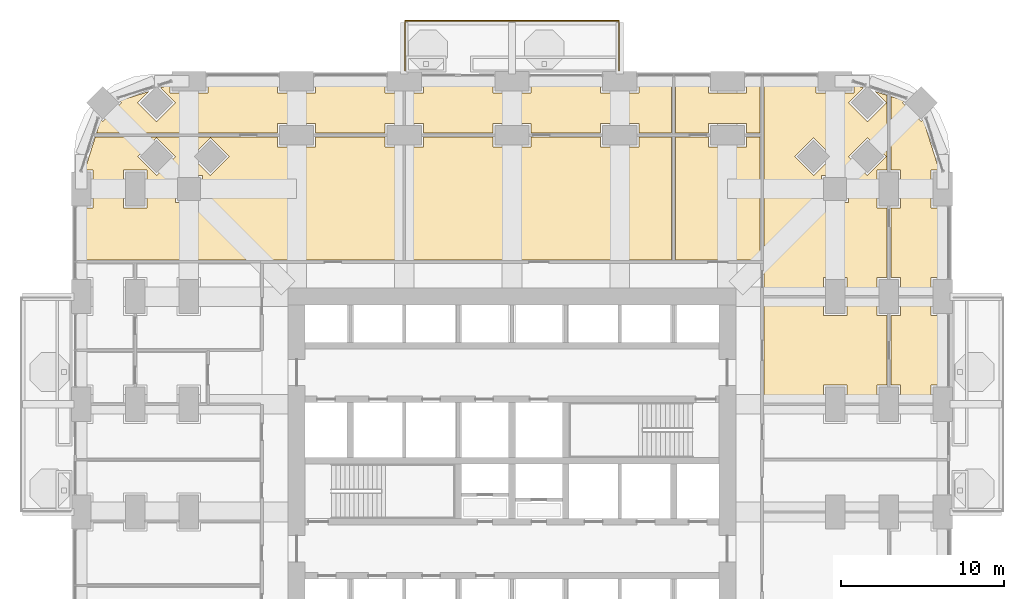
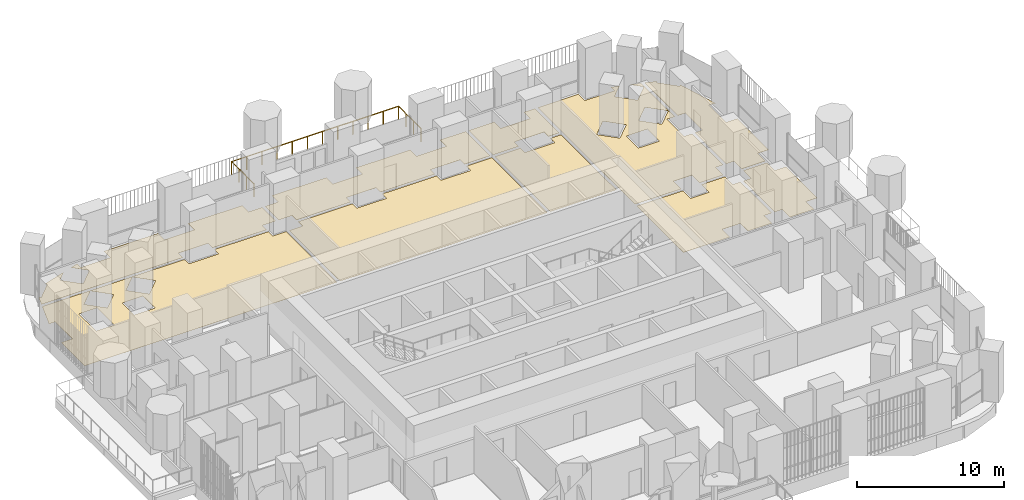
# One storey, part 25 of 26: 10 coverings, 1 railing.
"""IFC4 building model written with IfcOpenShell, lengths in metres."""

from ifc_helpers import new_model, si_unit, direction, frame, origin, place, context, subcontext, project, spatial, polyline, outline, extrude, material, layer, layer_set, type_object, element, save


model = new_model("IFC4")

# Units and contexts
model_context = context("Model", 3, precision=1e-05, world=origin(), true_north=direction((0.0, 1.0)))
body_context = subcontext(model_context, "Body", "Model", "MODEL_VIEW")
ifc_project = project(units=[si_unit("LENGTHUNIT", "METRE"), si_unit("AREAUNIT", "SQUARE_METRE"), si_unit("VOLUMEUNIT", "CUBIC_METRE"), si_unit("PLANEANGLEUNIT", "RADIAN"), si_unit("MASSUNIT", "GRAM", prefix="KILO")], contexts=[model_context])

# Site, building, storey
site_placement = place(None, origin())
site = spatial("IfcSite", under=ifc_project, at=site_placement, CompositionType="ELEMENT")
building_placement = place(site_placement, origin())
building = spatial("IfcBuilding", under=site, at=building_placement, Name="Cobogo Forest Laboratory Tower", CompositionType="ELEMENT")
storey_placement = place(building_placement, frame((0.0, 0.0, 42.300048828125)))
storey = spatial("IfcBuildingStorey", under=building, at=storey_placement, Name="L09", CompositionType="ELEMENT", Elevation=42.300048828125)

# Railing
ifc_material_1 = material(Name="Laminated glass balustrade", Category="glass")
railing_type = type_object("IfcRailingType", Name="BG1 glass balustrade 1100", PredefinedType="GUARDRAIL", material=ifc_material_1)
railing_placement = place(storey_placement, frame((19.85009765625, 46.85009765625, 0.0)))
element("IfcRailing", 1, at=railing_placement, inside=storey, type_object=railing_type, Name="Balcony balustrade BAL-N1 L09", PredefinedType="GUARDRAIL", context=body_context, shape_type="SweptSolid", body=[
    extrude(outline(polyline([(0.022216796875, 0.00927734375), (0.00927734375, 0.022216796875), (-0.00927734375, 0.022216796875), (-0.022216796875, 0.00927734375), (-0.022216796875, -0.00927734375), (-0.00927734375, -0.022216796875), (0.00927734375, -0.022216796875), (0.022216796875, -0.00927734375), (0.022216796875, 0.00927734375)])), frame((0.0, 0.0, 1.077880859375), z_axis=(0.0, 1.0, 0.0), x_axis=(-1.0, 0.0, 0.0)), (0.0, 0.0, 1.0), 3.0498046875),
    extrude(outline(polyline([(0.022216796875, 0.00927734375), (0.00927734375, 0.022216796875), (-0.00927734375, 0.022216796875), (-0.022216796875, 0.00927734375), (-0.022216796875, -0.00927734375), (-0.00927734375, -0.022216796875), (0.00927734375, -0.022216796875), (0.022216796875, -0.00927734375), (0.022216796875, 0.00927734375)])), frame((0.0, 3.0498046875, 1.077880859375), z_axis=(1.0, 0.0, 0.0), x_axis=(0.0, 1.0, 0.0)), (0.0, 0.0, 1.0), 13.099853515625),
    extrude(outline(polyline([(0.022216796875, 0.00927734375), (0.00927734375, 0.022216796875), (-0.00927734375, 0.022216796875), (-0.022216796875, 0.00927734375), (-0.022216796875, -0.00927734375), (-0.00927734375, -0.022216796875), (0.00927734375, -0.022216796875), (0.022216796875, -0.00927734375), (0.022216796875, 0.00927734375)])), frame((13.099853515625, 3.0498046875, 1.077880859375), z_axis=(0.0, -1.0, 0.0), x_axis=(1.0, 0.0, 0.0)), (0.0, 0.0, 1.0), 3.0498046875),
    extrude(outline(polyline([(0.019287109375, 0.008056640625), (0.008056640625, 0.019287109375), (-0.008056640625, 0.019287109375), (-0.019287109375, 0.008056640625), (-0.019287109375, -0.008056640625), (-0.008056640625, -0.019287109375), (0.008056640625, -0.019287109375), (0.019287109375, -0.008056640625), (0.019287109375, 0.008056640625)])), origin(), (0.0, 0.0, 1.0), 1.077880859375),
    extrude(outline(polyline([(0.019287109375, 0.008056640625), (0.008056640625, 0.019287109375), (-0.008056640625, 0.019287109375), (-0.019287109375, 0.008056640625), (-0.019287109375, -0.008056640625), (-0.008056640625, -0.019287109375), (0.008056640625, -0.019287109375), (0.019287109375, -0.008056640625), (0.019287109375, 0.008056640625)])), frame((0.0, 1.0166015625, 0.0)), (0.0, 0.0, 1.0), 1.077880859375),
    extrude(outline(polyline([(0.019287109375, 0.008056640625), (0.008056640625, 0.019287109375), (-0.008056640625, 0.019287109375), (-0.019287109375, 0.008056640625), (-0.019287109375, -0.008056640625), (-0.008056640625, -0.019287109375), (0.008056640625, -0.019287109375), (0.019287109375, -0.008056640625), (0.019287109375, 0.008056640625)])), frame((0.0, 2.033203125, 0.0)), (0.0, 0.0, 1.0), 1.077880859375),
    extrude(outline(polyline([(0.019287109375, 0.008056640625), (0.008056640625, 0.019287109375), (-0.008056640625, 0.019287109375), (-0.019287109375, 0.008056640625), (-0.019287109375, -0.008056640625), (-0.008056640625, -0.019287109375), (0.008056640625, -0.019287109375), (0.019287109375, -0.008056640625), (0.019287109375, 0.008056640625)])), frame((0.0, 3.0498046875, 0.0)), (0.0, 0.0, 1.0), 1.077880859375),
    extrude(outline(polyline([(0.019287109375, 0.008056640625), (0.008056640625, 0.019287109375), (-0.008056640625, 0.019287109375), (-0.019287109375, 0.008056640625), (-0.019287109375, -0.008056640625), (-0.008056640625, -0.019287109375), (0.008056640625, -0.019287109375), (0.019287109375, -0.008056640625), (0.019287109375, 0.008056640625)])), frame((1.19091796875, 3.0498046875, 0.0)), (0.0, 0.0, 1.0), 1.077880859375),
    extrude(outline(polyline([(0.019287109375, 0.008056640625), (0.008056640625, 0.019287109375), (-0.008056640625, 0.019287109375), (-0.019287109375, 0.008056640625), (-0.019287109375, -0.008056640625), (-0.008056640625, -0.019287109375), (0.008056640625, -0.019287109375), (0.019287109375, -0.008056640625), (0.019287109375, 0.008056640625)])), frame((2.3818359375, 3.0498046875, 0.0)), (0.0, 0.0, 1.0), 1.077880859375),
    extrude(outline(polyline([(0.019287109375, 0.008056640625), (0.008056640625, 0.019287109375), (-0.008056640625, 0.019287109375), (-0.019287109375, 0.008056640625), (-0.019287109375, -0.008056640625), (-0.008056640625, -0.019287109375), (0.008056640625, -0.019287109375), (0.019287109375, -0.008056640625), (0.019287109375, 0.008056640625)])), frame((3.57275390625, 3.0498046875, 0.0)), (0.0, 0.0, 1.0), 1.077880859375),
    extrude(outline(polyline([(0.019287109375, 0.008056640625), (0.008056640625, 0.019287109375), (-0.008056640625, 0.019287109375), (-0.019287109375, 0.008056640625), (-0.019287109375, -0.008056640625), (-0.008056640625, -0.019287109375), (0.008056640625, -0.019287109375), (0.019287109375, -0.008056640625), (0.019287109375, 0.008056640625)])), frame((4.763671875, 3.0498046875, 0.0)), (0.0, 0.0, 1.0), 1.077880859375),
    extrude(outline(polyline([(0.019287109375, 0.008056640625), (0.008056640625, 0.019287109375), (-0.008056640625, 0.019287109375), (-0.019287109375, 0.008056640625), (-0.019287109375, -0.008056640625), (-0.008056640625, -0.019287109375), (0.008056640625, -0.019287109375), (0.019287109375, -0.008056640625), (0.019287109375, 0.008056640625)])), frame((5.95458984375, 3.0498046875, 0.0)), (0.0, 0.0, 1.0), 1.077880859375),
    extrude(outline(polyline([(0.019287109375, 0.008056640625), (0.008056640625, 0.019287109375), (-0.008056640625, 0.019287109375), (-0.019287109375, 0.008056640625), (-0.019287109375, -0.008056640625), (-0.008056640625, -0.019287109375), (0.008056640625, -0.019287109375), (0.019287109375, -0.008056640625), (0.019287109375, 0.008056640625)])), frame((7.145263671875, 3.0498046875, 0.0)), (0.0, 0.0, 1.0), 1.077880859375),
    extrude(outline(polyline([(0.019287109375, 0.008056640625), (0.008056640625, 0.019287109375), (-0.008056640625, 0.019287109375), (-0.019287109375, 0.008056640625), (-0.019287109375, -0.008056640625), (-0.008056640625, -0.019287109375), (0.008056640625, -0.019287109375), (0.019287109375, -0.008056640625), (0.019287109375, 0.008056640625)])), frame((8.336181640625, 3.0498046875, 0.0)), (0.0, 0.0, 1.0), 1.077880859375),
    extrude(outline(polyline([(0.019287109375, 0.008056640625), (0.008056640625, 0.019287109375), (-0.008056640625, 0.019287109375), (-0.019287109375, 0.008056640625), (-0.019287109375, -0.008056640625), (-0.008056640625, -0.019287109375), (0.008056640625, -0.019287109375), (0.019287109375, -0.008056640625), (0.019287109375, 0.008056640625)])), frame((9.527099609375, 3.0498046875, 0.0)), (0.0, 0.0, 1.0), 1.077880859375),
    extrude(outline(polyline([(0.019287109375, 0.008056640625), (0.008056640625, 0.019287109375), (-0.008056640625, 0.019287109375), (-0.019287109375, 0.008056640625), (-0.019287109375, -0.008056640625), (-0.008056640625, -0.019287109375), (0.008056640625, -0.019287109375), (0.019287109375, -0.008056640625), (0.019287109375, 0.008056640625)])), frame((10.718017578125, 3.0498046875, 0.0)), (0.0, 0.0, 1.0), 1.077880859375),
    extrude(outline(polyline([(0.019287109375, 0.008056640625), (0.008056640625, 0.019287109375), (-0.008056640625, 0.019287109375), (-0.019287109375, 0.008056640625), (-0.019287109375, -0.008056640625), (-0.008056640625, -0.019287109375), (0.008056640625, -0.019287109375), (0.019287109375, -0.008056640625), (0.019287109375, 0.008056640625)])), frame((11.908935546875, 3.0498046875, 0.0)), (0.0, 0.0, 1.0), 1.077880859375),
    extrude(outline(polyline([(0.019287109375, 0.008056640625), (0.008056640625, 0.019287109375), (-0.008056640625, 0.019287109375), (-0.019287109375, 0.008056640625), (-0.019287109375, -0.008056640625), (-0.008056640625, -0.019287109375), (0.008056640625, -0.019287109375), (0.019287109375, -0.008056640625), (0.019287109375, 0.008056640625)])), frame((13.099853515625, 3.0498046875, 0.0)), (0.0, 0.0, 1.0), 1.077880859375),
    extrude(outline(polyline([(0.019287109375, 0.008056640625), (0.008056640625, 0.019287109375), (-0.008056640625, 0.019287109375), (-0.019287109375, 0.008056640625), (-0.019287109375, -0.008056640625), (-0.008056640625, -0.019287109375), (0.008056640625, -0.019287109375), (0.019287109375, -0.008056640625), (0.019287109375, 0.008056640625)])), frame((13.099853515625, 2.033203125, 0.0)), (0.0, 0.0, 1.0), 1.077880859375),
    extrude(outline(polyline([(0.019287109375, 0.008056640625), (0.008056640625, 0.019287109375), (-0.008056640625, 0.019287109375), (-0.019287109375, 0.008056640625), (-0.019287109375, -0.008056640625), (-0.008056640625, -0.019287109375), (0.008056640625, -0.019287109375), (0.019287109375, -0.008056640625), (0.019287109375, 0.008056640625)])), frame((13.099853515625, 1.0166015625, 0.0)), (0.0, 0.0, 1.0), 1.077880859375),
    extrude(outline(polyline([(0.019287109375, 0.008056640625), (0.008056640625, 0.019287109375), (-0.008056640625, 0.019287109375), (-0.019287109375, 0.008056640625), (-0.019287109375, -0.008056640625), (-0.008056640625, -0.019287109375), (0.008056640625, -0.019287109375), (0.019287109375, -0.008056640625), (0.019287109375, 0.008056640625)])), frame((13.099853515625, 0.0, 0.0)), (0.0, 0.0, 1.0), 1.077880859375),
])

# Coverings
ifc_material_2 = material(Name="Carpet tile on raised access floor", Category="flooring")
ifc_layer_1 = layer(ifc_material_2, 0.008056640625)
ifc_layer_set_1 = layer_set([ifc_layer_1], Name="CT1 carpet tile floor 8")
covering_type_1 = type_object("IfcCoveringType", Name="CT1 carpet tile floor 8", PredefinedType="FLOORING", material=ifc_layer_set_1)
covering_1_placement = place(storey_placement, origin())
element("IfcCovering", 2, at=covering_1_placement, inside=storey, type_object=covering_type_1, Name="Carpet floor L09-16", PredefinedType="FLOORING", context=body_context, shape_type="SweptSolid", body=[
    extrude(outline(polyline([(49.6201171875, 31.830078125), (50.219970703125, 31.830078125), (50.219970703125, 32.8798828125), (52.080078125, 32.8798828125), (52.080078125, 31.830078125), (52.949951171875, 31.830078125), (52.949951171875, 27.570068359375), (52.080078125, 27.570068359375), (52.080078125, 26.52001953125), (50.219970703125, 26.52001953125), (50.219970703125, 27.570068359375), (49.6201171875, 27.570068359375), (49.6201171875, 31.830078125)])), origin(), (0.0, 0.0, 1.0), 0.008056640625),
])
covering_2_placement = place(storey_placement, origin())
element("IfcCovering", 3, at=covering_2_placement, inside=storey, type_object=covering_type_1, Name="Carpet floor L09-18", PredefinedType="FLOORING", context=body_context, shape_type="SweptSolid", body=[
    extrude(outline(polyline([(49.6201171875, 38.429931640625), (50.219970703125, 38.429931640625), (50.219970703125, 40.77001953125), (49.6201171875, 40.77001953125), (49.6201171875, 45.26025390625), (50.441162109375, 45.0009765625), (50.322265625, 44.882080078125), (51.48193359375, 43.722412109375), (51.600830078125, 43.84130859375), (52.57080078125, 40.77001953125), (52.080078125, 40.77001953125), (52.080078125, 38.429931640625), (52.949951171875, 38.429931640625), (52.949951171875, 34.169921875), (52.080078125, 34.169921875), (52.080078125, 33.1201171875), (50.219970703125, 33.1201171875), (50.219970703125, 34.169921875), (49.6201171875, 34.169921875), (49.6201171875, 38.429931640625)])), origin(), (0.0, 0.0, 1.0), 0.008056640625),
])
covering_3_placement = place(storey_placement, origin())
element("IfcCovering", 4, at=covering_3_placement, inside=storey, type_object=covering_type_1, Name="Carpet floor L09-20", PredefinedType="FLOORING", context=body_context, shape_type="SweptSolid", body=[
    extrude(outline(polyline([(14.3701171875, 43.02001953125), (14.3701171875, 43.6201171875), (12.030029296875, 43.6201171875), (12.030029296875, 43.02001953125), (0.939697265625, 43.02001953125), (1.19921875, 43.84130859375), (1.318115234375, 43.722412109375), (2.477783203125, 44.882080078125), (2.358642578125, 45.0009765625), (4.1396484375, 45.563232421875), (3.458251953125, 44.882080078125), (4.617919921875, 43.722412109375), (5.777587890625, 44.882080078125), (4.86669921875, 45.79296875), (5.429931640625, 45.970703125), (5.429931640625, 45.47998046875), (7.77001953125, 45.47998046875), (7.77001953125, 46.35009765625), (12.030029296875, 46.35009765625), (12.030029296875, 45.47998046875), (14.3701171875, 45.47998046875), (14.3701171875, 46.35009765625), (18.6298828125, 46.35009765625), (18.6298828125, 45.47998046875), (19.679931640625, 45.47998046875), (19.679931640625, 43.6201171875), (18.6298828125, 43.6201171875), (18.6298828125, 43.02001953125), (14.3701171875, 43.02001953125)])), origin(), (0.0, 0.0, 1.0), 0.008056640625),
])
covering_4_placement = place(storey_placement, origin())
element("IfcCovering", 5, at=covering_4_placement, inside=storey, type_object=covering_type_1, Name="Carpet floor L09-22", PredefinedType="FLOORING", context=body_context, shape_type="SweptSolid", body=[
    extrude(outline(polyline([(34.169921875, 43.02001953125), (34.169921875, 43.6201171875), (31.830078125, 43.6201171875), (31.830078125, 43.02001953125), (27.570068359375, 43.02001953125), (27.570068359375, 43.6201171875), (25.22998046875, 43.6201171875), (25.22998046875, 43.02001953125), (20.969970703125, 43.02001953125), (20.969970703125, 43.6201171875), (19.919921875, 43.6201171875), (19.919921875, 45.47998046875), (20.969970703125, 45.47998046875), (20.969970703125, 46.35009765625), (25.22998046875, 46.35009765625), (25.22998046875, 45.47998046875), (27.570068359375, 45.47998046875), (27.570068359375, 46.35009765625), (31.830078125, 46.35009765625), (31.830078125, 45.47998046875), (34.169921875, 45.47998046875), (34.169921875, 46.35009765625), (36.179931640625, 46.35009765625), (36.179931640625, 43.02001953125), (34.169921875, 43.02001953125)])), origin(), (0.0, 0.0, 1.0), 0.008056640625),
])
covering_5_placement = place(storey_placement, origin())
element("IfcCovering", 6, at=covering_5_placement, inside=storey, type_object=covering_type_1, Name="Carpet floor L09-24", PredefinedType="FLOORING", context=body_context, shape_type="SweptSolid", body=[
    extrude(outline(polyline([(40.77001953125, 43.02001953125), (40.77001953125, 43.6201171875), (38.429931640625, 43.6201171875), (38.429931640625, 43.02001953125), (36.419921875, 43.02001953125), (36.419921875, 46.35009765625), (38.429931640625, 46.35009765625), (38.429931640625, 45.47998046875), (40.77001953125, 45.47998046875), (40.77001953125, 46.35009765625), (41.60498046875, 46.35009765625), (41.60498046875, 43.02001953125), (40.77001953125, 43.02001953125)])), origin(), (0.0, 0.0, 1.0), 0.008056640625),
])
ifc_material_3 = material(Name="Epoxy resin flooring", Category="flooring")
ifc_layer_2 = layer(ifc_material_3, 0.00390625)
ifc_layer_set_2 = layer_set([ifc_layer_2], Name="LF1 epoxy laboratory floor 4")
covering_type_2 = type_object("IfcCoveringType", Name="LF1 epoxy laboratory floor 4", PredefinedType="FLOORING", material=ifc_layer_set_2)
covering_6_placement = place(storey_placement, origin())
element("IfcCovering", 7, at=covering_6_placement, inside=storey, type_object=covering_type_2, Name="Epoxy laboratory floor L09-15", PredefinedType="FLOORING", context=body_context, shape_type="SweptSolid", body=[
    extrude(outline(polyline([(41.844970703125, 32.8798828125), (45.47998046875, 32.8798828125), (45.47998046875, 31.830078125), (46.919921875, 31.830078125), (46.919921875, 32.8798828125), (48.780029296875, 32.8798828125), (48.780029296875, 31.830078125), (49.3798828125, 31.830078125), (49.3798828125, 27.570068359375), (48.780029296875, 27.570068359375), (48.780029296875, 26.52001953125), (46.919921875, 26.52001953125), (46.919921875, 27.570068359375), (45.47998046875, 27.570068359375), (45.47998046875, 26.52001953125), (41.844970703125, 26.52001953125), (41.844970703125, 32.8798828125)])), origin(), (0.0, 0.0, 1.0), 0.00390625),
])
covering_7_placement = place(storey_placement, origin())
element("IfcCovering", 8, at=covering_7_placement, inside=storey, type_object=covering_type_2, Name="Epoxy laboratory floor L09-17", PredefinedType="FLOORING", context=body_context, shape_type="SweptSolid", body=[
    extrude(outline(polyline([(46.919921875, 33.1201171875), (46.919921875, 34.169921875), (45.47998046875, 34.169921875), (45.47998046875, 33.1201171875), (41.844970703125, 33.1201171875), (41.844970703125, 46.35009765625), (45.030029296875, 46.35009765625), (45.030029296875, 45.47998046875), (47.3701171875, 45.47998046875), (47.3701171875, 45.970703125), (47.933349609375, 45.79296875), (47.022216796875, 44.882080078125), (48.181884765625, 43.722412109375), (49.341552734375, 44.882080078125), (48.660400390625, 45.563232421875), (49.3798828125, 45.3359375), (49.3798828125, 40.77001953125), (48.780029296875, 40.77001953125), (48.780029296875, 38.429931640625), (49.3798828125, 38.429931640625), (49.3798828125, 34.169921875), (48.780029296875, 34.169921875), (48.780029296875, 33.1201171875), (46.919921875, 33.1201171875)]), holes=[polyline([(47.022216796875, 41.58203125), (48.181884765625, 40.42236328125), (49.341552734375, 41.58203125), (48.181884765625, 42.74169921875), (47.022216796875, 41.58203125)]), polyline([(47.02001953125, 40.419921875), (45.3798828125, 40.419921875), (45.3798828125, 38.780029296875), (47.02001953125, 38.780029296875), (47.02001953125, 40.419921875)]), polyline([(43.722412109375, 41.58203125), (44.882080078125, 40.42236328125), (46.041748046875, 41.58203125), (44.882080078125, 42.74169921875), (43.722412109375, 41.58203125)])]), origin(), (0.0, 0.0, 1.0), 0.00390625),
])
covering_8_placement = place(storey_placement, origin())
element("IfcCovering", 9, at=covering_8_placement, inside=storey, type_object=covering_type_2, Name="Epoxy laboratory floor L09-19", PredefinedType="FLOORING", context=body_context, shape_type="SweptSolid", body=[
    extrude(outline(polyline([(19.679931640625, 35.2451171875), (-0.14990234375, 35.2451171875), (-0.14990234375, 38.429931640625), (0.719970703125, 38.429931640625), (0.719970703125, 40.77001953125), (0.229248046875, 40.77001953125), (0.864013671875, 42.780029296875), (12.030029296875, 42.780029296875), (12.030029296875, 42.179931640625), (14.3701171875, 42.179931640625), (14.3701171875, 42.780029296875), (18.6298828125, 42.780029296875), (18.6298828125, 42.179931640625), (19.679931640625, 42.179931640625), (19.679931640625, 35.2451171875)]), holes=[polyline([(6.75830078125, 41.58203125), (7.91796875, 40.42236328125), (9.07763671875, 41.58203125), (7.91796875, 42.74169921875), (6.75830078125, 41.58203125)]), polyline([(5.780029296875, 40.419921875), (5.780029296875, 38.780029296875), (7.419921875, 38.780029296875), (7.419921875, 40.419921875), (5.780029296875, 40.419921875)]), polyline([(3.458251953125, 41.58203125), (4.617919921875, 40.42236328125), (5.777587890625, 41.58203125), (4.617919921875, 42.74169921875), (3.458251953125, 41.58203125)]), polyline([(2.580078125, 38.429931640625), (4.02001953125, 38.429931640625), (4.02001953125, 40.77001953125), (2.580078125, 40.77001953125), (2.580078125, 38.429931640625)])]), origin(), (0.0, 0.0, 1.0), 0.00390625),
])
covering_9_placement = place(storey_placement, origin())
element("IfcCovering", 10, at=covering_9_placement, inside=storey, type_object=covering_type_2, Name="Epoxy laboratory floor L09-21", PredefinedType="FLOORING", context=body_context, shape_type="SweptSolid", body=[
    extrude(outline(polyline([(19.919921875, 42.179931640625), (20.969970703125, 42.179931640625), (20.969970703125, 42.780029296875), (25.22998046875, 42.780029296875), (25.22998046875, 42.179931640625), (27.570068359375, 42.179931640625), (27.570068359375, 42.780029296875), (31.830078125, 42.780029296875), (31.830078125, 42.179931640625), (34.169921875, 42.179931640625), (34.169921875, 42.780029296875), (36.179931640625, 42.780029296875), (36.179931640625, 35.2451171875), (19.919921875, 35.2451171875), (19.919921875, 42.179931640625)])), origin(), (0.0, 0.0, 1.0), 0.00390625),
])
covering_10_placement = place(storey_placement, origin())
element("IfcCovering", 11, at=covering_10_placement, inside=storey, type_object=covering_type_2, Name="Epoxy laboratory floor L09-23", PredefinedType="FLOORING", context=body_context, shape_type="SweptSolid", body=[
    extrude(outline(polyline([(36.419921875, 42.780029296875), (38.429931640625, 42.780029296875), (38.429931640625, 42.179931640625), (40.77001953125, 42.179931640625), (40.77001953125, 42.780029296875), (41.60498046875, 42.780029296875), (41.60498046875, 35.2451171875), (36.419921875, 35.2451171875), (36.419921875, 42.780029296875)])), origin(), (0.0, 0.0, 1.0), 0.00390625),
])

save(model, "model.ifc")
